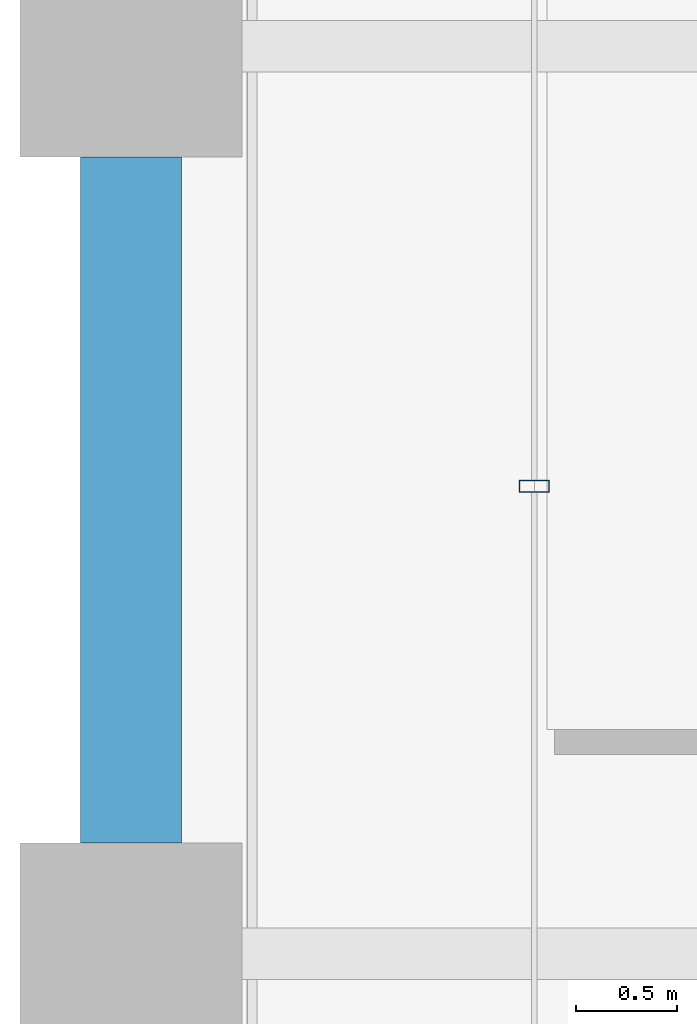
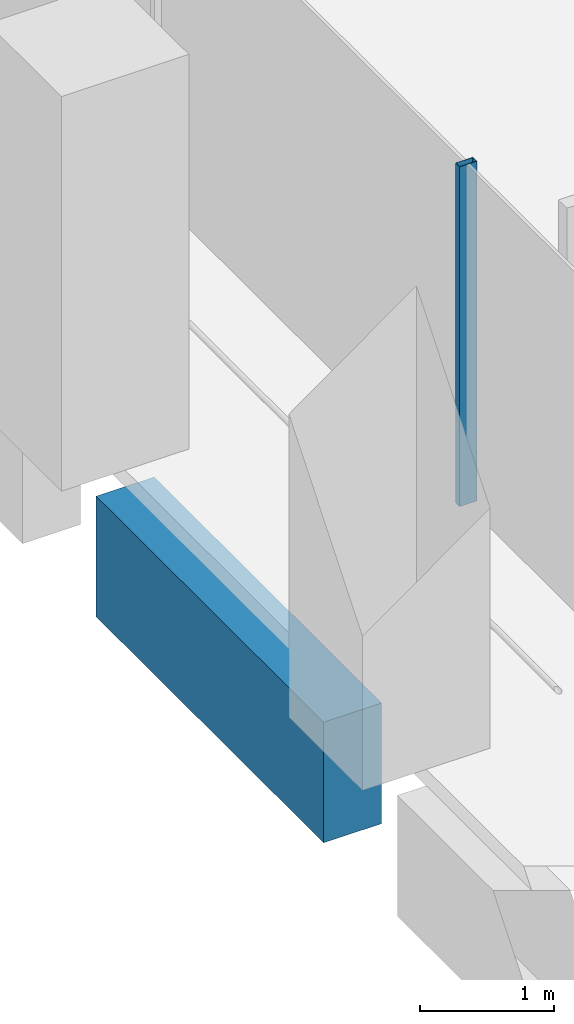
# One storey, part 12 of 54: 1 beam, 1 member, 1 element without a shape of its own.
"""IFC4 building model written with IfcOpenShell, lengths in metres."""

from ifc_helpers import new_model, si_unit, direction, frame, origin, origin_2d, place, context, subcontext, project, spatial, rectangle, hollow_rectangle, extrude, material, material_profile, profile_set, type_object, element, aggregate, save


model = new_model("IFC4")

# Units and contexts
model_context = context("Model", 3, precision=1e-05, world=origin(), true_north=direction((0.0, 1.0)))
body_context = subcontext(model_context, "Body", "Model", "MODEL_VIEW")
ifc_project = project(units=[si_unit("LENGTHUNIT", "METRE"), si_unit("AREAUNIT", "SQUARE_METRE"), si_unit("VOLUMEUNIT", "CUBIC_METRE"), si_unit("PLANEANGLEUNIT", "RADIAN"), si_unit("MASSUNIT", "GRAM", prefix="KILO")], contexts=[model_context])

# Site, building, storey
site_placement = place(None, origin())
site = spatial("IfcSite", under=ifc_project, at=site_placement, CompositionType="ELEMENT")
building_placement = place(site_placement, origin())
building = spatial("IfcBuilding", under=site, at=building_placement, Name="Altepetl Exchange Towers", CompositionType="ELEMENT")
storey_placement = place(building_placement, frame((0.0, 0.0, 58.199951171875)))
storey = spatial("IfcBuildingStorey", under=building, at=storey_placement, Name="L13", CompositionType="ELEMENT", Elevation=58.199951171875)

# Curtain wall, member
ifc_material_1 = material(Name="Aluminium 6063-T6 glazing", Category="aluminium")
curtain_wall_type = type_object("IfcCurtainWallType", Name="Loggia glazing system", PredefinedType="NOTDEFINED", material=ifc_material_1)
curtain_wall_placement = place(storey_placement, origin())
curtain_wall = element("IfcCurtainWall", 1, at=curtain_wall_placement, inside=storey, type_object=curtain_wall_type, Name="CW1 run", PredefinedType="NOTDEFINED")
ifc_material_2 = material(Name="Aluminium 6063-T6", Category="aluminium")
ifc_material_profile_1 = material_profile(ifc_material_2, hollow_rectangle(XDim=0.06005859375, YDim=0.14990234375, WallThickness=0.0029296875, at=origin_2d()), Name="Mullion 60x150 aluminium")
ifc_profile_set_1 = profile_set([ifc_material_profile_1], Name="Aluminium 6063-T6")
member_type = type_object("IfcMemberType", Name="Mullion 60x150 aluminium", PredefinedType="MULLION", material=ifc_profile_set_1)
member_placement = place(storey_placement, frame((29.0, 51.81787109375, 0.0), z_axis=(0.0, 0.0, 1.0), x_axis=(0.0, -1.0, 0.0)))
member = element("IfcMember", 2, at=member_placement, type_object=member_type, Name="MU1 mullion", PredefinedType="MULLION", context=body_context, shape_type="SweptSolid", body=[
    extrude(hollow_rectangle(XDim=0.06005859375, YDim=0.14990234375, WallThickness=0.0029296875, at=origin_2d()), origin(), (0.0, 0.0, 1.0), 3.10009765625),
])
aggregate(curtain_wall, [member])

# Beam
ifc_material_3 = material(Name="Concrete C50/60 precast with tezontle facing", Category="concrete")
ifc_material_profile_2 = material_profile(ifc_material_3, rectangle(XDim=0.5, YDim=1.10009765625, at=origin_2d()), Name="500 x 1100")
ifc_profile_set_2 = profile_set([ifc_material_profile_2], Name="Concrete C50/60 precast with tezontle facing")
beam_type = type_object("IfcBeamType", Name="Spandrel beam 500x1100 tezontle", PredefinedType="SPANDREL", material=ifc_profile_set_2)
beam_placement = place(storey_placement, frame((27.0, 53.449951171875, -0.699951171875), z_axis=(0.0, -1.0, 0.0), x_axis=(1.0, 0.0, 0.0)))
element("IfcBeam", 3, at=beam_placement, inside=storey, type_object=beam_type, Name="sp:A:L13:039", PredefinedType="SPANDREL", context=body_context, shape_type="SweptSolid", body=[
    extrude(rectangle(XDim=0.5, YDim=1.10009765625, at=origin_2d()), origin(), (0.0, 0.0, 1.0), 3.39990234375),
])

save(model, "model.ifc")
